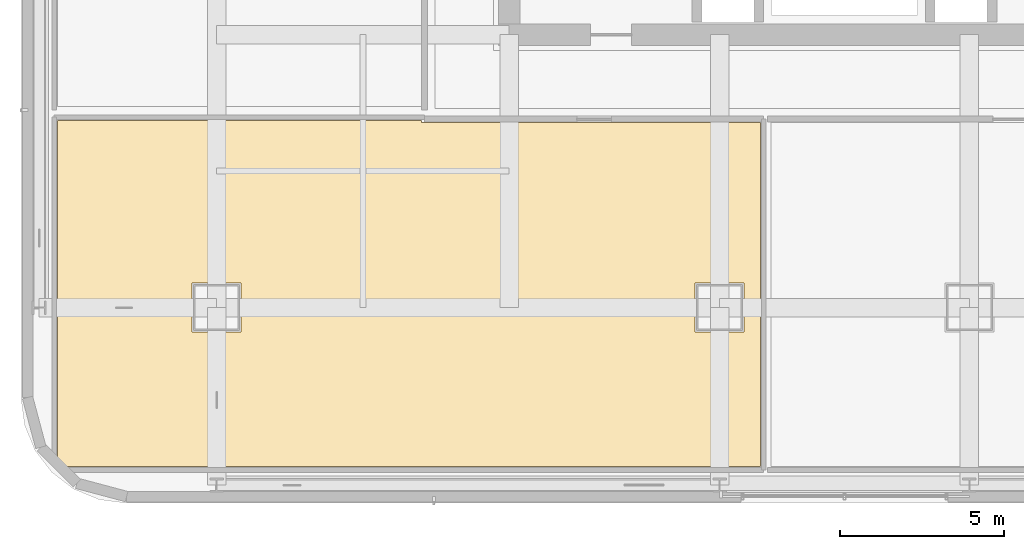
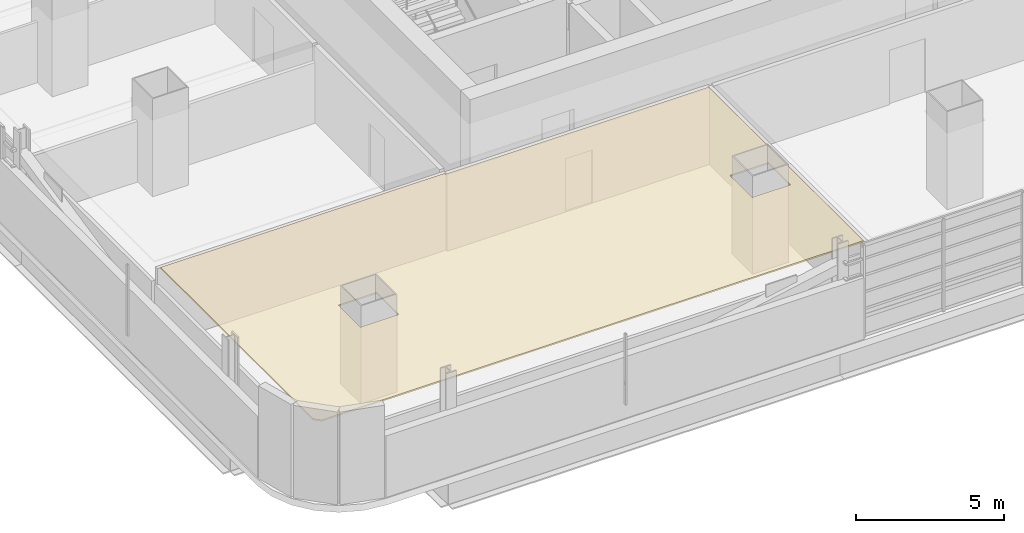
# One storey, part 17 of 29: 1 covering.
"""IFC4 building model written with IfcOpenShell, lengths in metres."""

from ifc_helpers import new_model, si_unit, direction, frame, origin, place, context, subcontext, project, spatial, polyline, outline, extrude, material, layer, layer_set, type_object, element, save


model = new_model("IFC4")

# Units and contexts
model_context = context("Model", 3, precision=1e-05, world=origin(), true_north=direction((0.0, 1.0)))
body_context = subcontext(model_context, "Body", "Model", "MODEL_VIEW")
ifc_project = project(units=[si_unit("LENGTHUNIT", "METRE"), si_unit("AREAUNIT", "SQUARE_METRE"), si_unit("VOLUMEUNIT", "CUBIC_METRE"), si_unit("PLANEANGLEUNIT", "RADIAN"), si_unit("MASSUNIT", "GRAM", prefix="KILO")], contexts=[model_context])

# Site, building, storey
site_placement = place(None, origin())
site = spatial("IfcSite", under=ifc_project, at=site_placement, CompositionType="ELEMENT")
building_placement = place(site_placement, origin())
building = spatial("IfcBuilding", under=site, at=building_placement, Name="Punatoya Terracotta Tower", CompositionType="ELEMENT")
storey_placement = place(building_placement, frame((0.0, 0.0, 172.199951171875)))
storey = spatial("IfcBuildingStorey", under=building, at=storey_placement, Name="L40", CompositionType="ELEMENT", Elevation=172.199951171875)

# Covering
ifc_material = material(Name="Acoustic Mineral Fibre Ceiling")
ifc_layer = layer(ifc_material, 0.06005859375)
ifc_layer_set = layer_set([ifc_layer], Name="Acoustic Mineral Fibre Ceiling")
covering_type = type_object("IfcCoveringType", Name="COV-CEIL-60", PredefinedType="CEILING", material=ifc_layer_set)
covering_placement = place(storey_placement, frame((0.0, 0.0, 3.16015625)))
element("IfcCovering", 1, at=covering_placement, inside=storey, type_object=covering_type, Name="L40 Client Media Salon Acoustic Ceiling", PredefinedType="CEILING", context=body_context, shape_type="SweptSolid", body=[
    extrude(outline(polyline([(-23.713623046875, -22.340087890625), (-2.56005859375, -22.340087890625), (-2.56005859375, -11.8701171875), (-12.8701171875, -11.8701171875), (-12.8701171875, -11.81005859375), (-23.93994140625, -11.81005859375), (-23.93994140625, -22.113525390625), (-23.841796875, -22.24169921875), (-23.713623046875, -22.340087890625)]), holes=[polyline([(-4.550048828125, -16.75), (-3.050048828125, -16.75), (-3.050048828125, -18.25), (-4.550048828125, -18.25), (-4.550048828125, -16.75)]), polyline([(-19.85009765625, -18.25), (-19.85009765625, -16.75), (-18.35009765625, -16.75), (-18.35009765625, -18.25), (-19.85009765625, -18.25)])]), origin(), (0.0, 0.0, 1.0), 0.059814453125),
])

save(model, "model.ifc")
